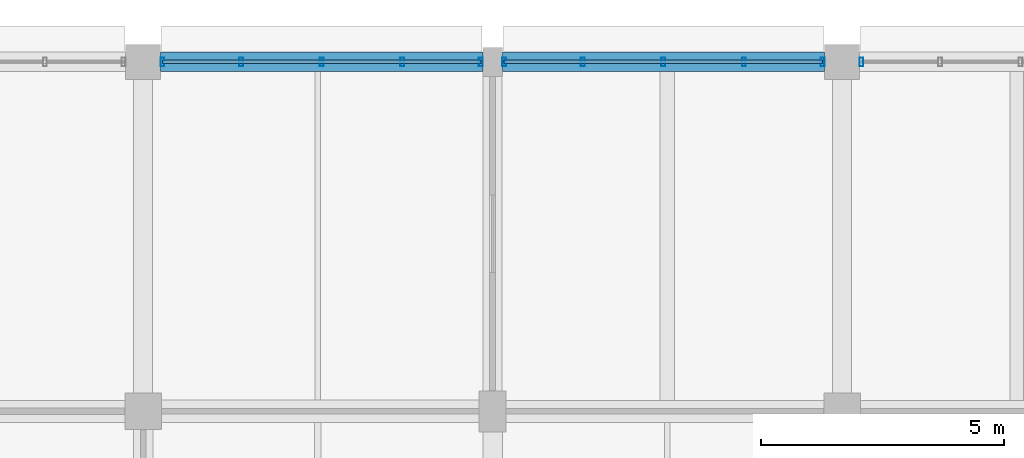
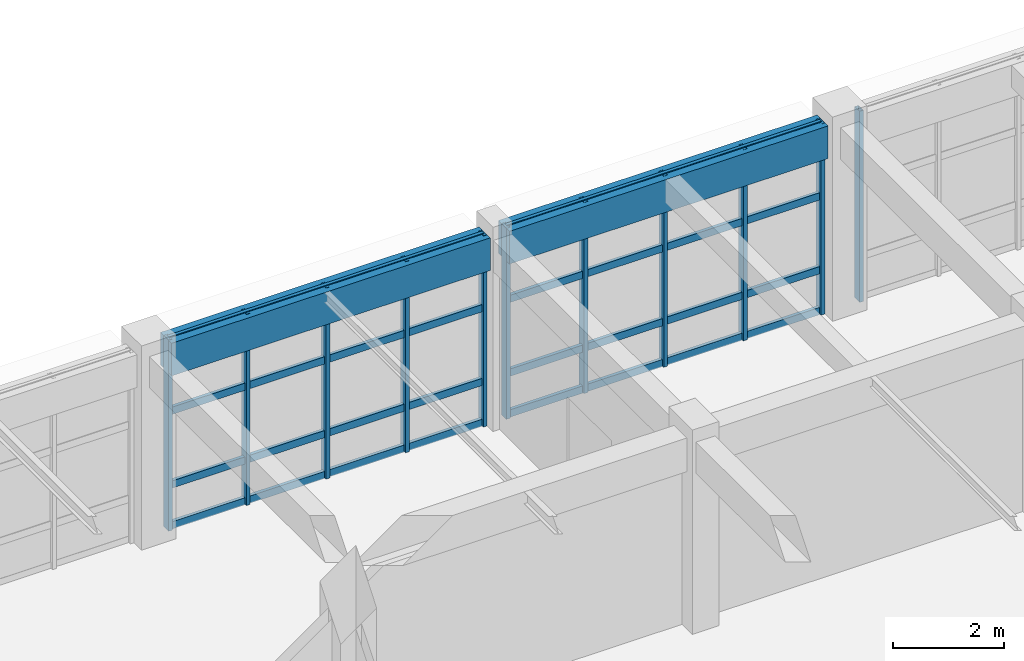
# One storey, part 81 of 171: 19 members, 2 beams, 3 elements without a shape of their own.
"""IFC4 building model written with IfcOpenShell, lengths in metres."""

from ifc_helpers import new_model, si_unit, direction, frame, origin, origin_2d, place, context, subcontext, project, spatial, rectangle, hollow_rectangle, extrude, material, material_profile, profile_set, type_object, element, aggregate, save


model = new_model("IFC4")

# Units and contexts
model_context = context("Model", 3, precision=1e-05, world=origin(), true_north=direction((0.0, 1.0)))
body_context = subcontext(model_context, "Body", "Model", "MODEL_VIEW")
ifc_project = project(units=[si_unit("LENGTHUNIT", "METRE"), si_unit("AREAUNIT", "SQUARE_METRE"), si_unit("VOLUMEUNIT", "CUBIC_METRE"), si_unit("PLANEANGLEUNIT", "RADIAN"), si_unit("MASSUNIT", "GRAM", prefix="KILO")], contexts=[model_context])

# Site, building, storey
site_placement = place(None, origin())
site = spatial("IfcSite", under=ifc_project, at=site_placement, CompositionType="ELEMENT")
building_placement = place(site_placement, origin())
building = spatial("IfcBuilding", under=site, at=building_placement, Name="Thalmaran Polytechnic", CompositionType="ELEMENT")
storey_placement = place(building_placement, frame((0.0, 0.0, 5.39990234375)))
storey = spatial("IfcBuildingStorey", under=building, at=storey_placement, Name="L01", CompositionType="ELEMENT", Elevation=5.39990234375)

# Beams
ifc_material_1 = material(Name="Concrete C40/50", Category="concrete")
ifc_material_profile_1 = material_profile(ifc_material_1, rectangle(XDim=0.39990234375, YDim=0.719970703125, at=origin_2d()), Name="RC 400x720")
ifc_profile_set_1 = profile_set([ifc_material_profile_1], Name="Concrete C40/50")
beam_type = type_object("IfcBeamType", Name="BM-SP01", PredefinedType="SPANDREL", material=ifc_profile_set_1)
for number, where, z_axis, x_axis, name in (
    (1, (79.56005859375, 122.39990234375, 3.85009765625), (1.0, 0.0, 0.0), (0.0, 1.0, 0.0), "Grid Beam SP01 L01 X(11,17)"),
    (2, (86.60009765625, 122.39990234375, 3.85009765625), (1.0, 0.0, 0.0), (0.0, 1.0, 0.0), "Grid Beam SP01 L01 X(12,17)"),
):
    element("IfcBeam", number, at=place(storey_placement, frame(where, z_axis=z_axis, x_axis=x_axis)), inside=storey, type_object=beam_type, Name=name, PredefinedType="SPANDREL", context=body_context, shape_type="SweptSolid", body=[
        extrude(rectangle(XDim=0.39990234375, YDim=0.719970703125, at=origin_2d()), origin(), (0.0, 0.0, 1.0), 6.639892578125),
    ])

# Curtain wall, members
ifc_material_2 = material(Name="Aluminium 6063-T6", Category="aluminium")
curtain_wall_type = type_object("IfcCurtainWallType", Name="CW-UC02", PredefinedType="USERDEFINED", material=ifc_material_2)
curtain_wall_1_placement = place(storey_placement, origin())
curtain_wall_1 = element("IfcCurtainWall", 3, at=curtain_wall_1_placement, inside=storey, type_object=curtain_wall_type, Name="Curtain Wall CW-L01-090", ObjectType="UNITISED CURTAIN WALL", PredefinedType="USERDEFINED")
ifc_material_profile_2 = material_profile(ifc_material_2, hollow_rectangle(XDim=0.080078125, YDim=0.179931640625, WallThickness=0.0048828125, at=origin_2d()), Name="RHS 180x80x5.0")
ifc_profile_set_2 = profile_set([ifc_material_profile_2], Name="Aluminium 6063-T6")
member_type_1 = type_object("IfcMemberType", Name="CW-MUL1", PredefinedType="MULLION", material=ifc_profile_set_2)
member_1_placement = place(storey_placement, frame((79.60009765625, 122.39990234375, 0.0), z_axis=(0.0, 0.0, 1.0), x_axis=(1.0, 0.0, 0.0)))
member_1 = element("IfcMember", 4, at=member_1_placement, type_object=member_type_1, Name="CW-L01-090 Mullion 1", PredefinedType="MULLION", context=body_context, shape_type="SweptSolid", body=[
    extrude(hollow_rectangle(XDim=0.080078125, YDim=0.179931640625, WallThickness=0.0048828125, at=origin_2d()), origin(), (0.0, 0.0, 1.0), 4.210205078125),
])
member_2_placement = place(storey_placement, frame((81.219970703125, 122.39990234375, 0.0), z_axis=(0.0, 0.0, 1.0), x_axis=(1.0, 0.0, 0.0)))
member_2 = element("IfcMember", 5, at=member_2_placement, type_object=member_type_1, Name="CW-L01-090 Mullion 2", PredefinedType="MULLION", context=body_context, shape_type="SweptSolid", body=[
    extrude(hollow_rectangle(XDim=0.080078125, YDim=0.179931640625, WallThickness=0.0048828125, at=origin_2d()), origin(), (0.0, 0.0, 1.0), 4.210205078125),
])
member_3_placement = place(storey_placement, frame((82.8798828125, 122.39990234375, 0.0), z_axis=(0.0, 0.0, 1.0), x_axis=(1.0, 0.0, 0.0)))
member_3 = element("IfcMember", 6, at=member_3_placement, type_object=member_type_1, Name="CW-L01-090 Mullion 3", PredefinedType="MULLION", context=body_context, shape_type="SweptSolid", body=[
    extrude(hollow_rectangle(XDim=0.080078125, YDim=0.179931640625, WallThickness=0.0048828125, at=origin_2d()), origin(), (0.0, 0.0, 1.0), 4.210205078125),
])
member_4_placement = place(storey_placement, frame((84.5400390625, 122.39990234375, 0.0), z_axis=(0.0, 0.0, 1.0), x_axis=(1.0, 0.0, 0.0)))
member_4 = element("IfcMember", 7, at=member_4_placement, type_object=member_type_1, Name="CW-L01-090 Mullion 4", PredefinedType="MULLION", context=body_context, shape_type="SweptSolid", body=[
    extrude(hollow_rectangle(XDim=0.080078125, YDim=0.179931640625, WallThickness=0.0048828125, at=origin_2d()), origin(), (0.0, 0.0, 1.0), 4.210205078125),
])
member_5_placement = place(storey_placement, frame((86.159912109375, 122.39990234375, 0.0), z_axis=(0.0, 0.0, 1.0), x_axis=(1.0, 0.0, 0.0)))
member_5 = element("IfcMember", 8, at=member_5_placement, type_object=member_type_1, Name="CW-L01-090 Mullion 5", PredefinedType="MULLION", context=body_context, shape_type="SweptSolid", body=[
    extrude(hollow_rectangle(XDim=0.080078125, YDim=0.179931640625, WallThickness=0.0048828125, at=origin_2d()), origin(), (0.0, 0.0, 1.0), 4.210205078125),
])

curtain_wall_2_placement = place(storey_placement, origin())
curtain_wall_2 = element("IfcCurtainWall", 9, at=curtain_wall_2_placement, inside=storey, type_object=curtain_wall_type, Name="Curtain Wall CW-L01-091", ObjectType="UNITISED CURTAIN WALL", PredefinedType="USERDEFINED")
member_6_placement = place(storey_placement, frame((86.639892578125, 122.39990234375, 0.0), z_axis=(0.0, 0.0, 1.0), x_axis=(1.0, 0.0, 0.0)))
member_6 = element("IfcMember", 10, at=member_6_placement, type_object=member_type_1, Name="CW-L01-091 Mullion 1", PredefinedType="MULLION", context=body_context, shape_type="SweptSolid", body=[
    extrude(hollow_rectangle(XDim=0.080078125, YDim=0.179931640625, WallThickness=0.0048828125, at=origin_2d()), origin(), (0.0, 0.0, 1.0), 4.210205078125),
])
member_7_placement = place(storey_placement, frame((88.260009765625, 122.39990234375, 0.0), z_axis=(0.0, 0.0, 1.0), x_axis=(1.0, 0.0, 0.0)))
member_7 = element("IfcMember", 11, at=member_7_placement, type_object=member_type_1, Name="CW-L01-091 Mullion 2", PredefinedType="MULLION", context=body_context, shape_type="SweptSolid", body=[
    extrude(hollow_rectangle(XDim=0.080078125, YDim=0.179931640625, WallThickness=0.0048828125, at=origin_2d()), origin(), (0.0, 0.0, 1.0), 4.210205078125),
])
member_8_placement = place(storey_placement, frame((89.919921875, 122.39990234375, 0.0), z_axis=(0.0, 0.0, 1.0), x_axis=(1.0, 0.0, 0.0)))
member_8 = element("IfcMember", 12, at=member_8_placement, type_object=member_type_1, Name="CW-L01-091 Mullion 3", PredefinedType="MULLION", context=body_context, shape_type="SweptSolid", body=[
    extrude(hollow_rectangle(XDim=0.080078125, YDim=0.179931640625, WallThickness=0.0048828125, at=origin_2d()), origin(), (0.0, 0.0, 1.0), 4.210205078125),
])
member_9_placement = place(storey_placement, frame((91.580078125, 122.39990234375, 0.0), z_axis=(0.0, 0.0, 1.0), x_axis=(1.0, 0.0, 0.0)))
member_9 = element("IfcMember", 13, at=member_9_placement, type_object=member_type_1, Name="CW-L01-091 Mullion 4", PredefinedType="MULLION", context=body_context, shape_type="SweptSolid", body=[
    extrude(hollow_rectangle(XDim=0.080078125, YDim=0.179931640625, WallThickness=0.0048828125, at=origin_2d()), origin(), (0.0, 0.0, 1.0), 4.210205078125),
])
member_10_placement = place(storey_placement, frame((93.199951171875, 122.39990234375, 0.0), z_axis=(0.0, 0.0, 1.0), x_axis=(1.0, 0.0, 0.0)))
member_10 = element("IfcMember", 14, at=member_10_placement, type_object=member_type_1, Name="CW-L01-091 Mullion 5", PredefinedType="MULLION", context=body_context, shape_type="SweptSolid", body=[
    extrude(hollow_rectangle(XDim=0.080078125, YDim=0.179931640625, WallThickness=0.0048828125, at=origin_2d()), origin(), (0.0, 0.0, 1.0), 4.210205078125),
])

# Curtain wall, member
curtain_wall_3_placement = place(storey_placement, origin())
curtain_wall_3 = element("IfcCurtainWall", 15, at=curtain_wall_3_placement, inside=storey, type_object=curtain_wall_type, Name="Curtain Wall CW-L01-092", ObjectType="UNITISED CURTAIN WALL", PredefinedType="USERDEFINED")
member_11_placement = place(storey_placement, frame((94.0, 122.39990234375, 0.0), z_axis=(0.0, 0.0, 1.0), x_axis=(1.0, 0.0, 0.0)))
member_11 = element("IfcMember", 16, at=member_11_placement, type_object=member_type_1, Name="CW-L01-092 Mullion 1", PredefinedType="MULLION", context=body_context, shape_type="SweptSolid", body=[
    extrude(hollow_rectangle(XDim=0.080078125, YDim=0.179931640625, WallThickness=0.0048828125, at=origin_2d()), origin(), (0.0, 0.0, 1.0), 4.210205078125),
])
aggregate(curtain_wall_3, [member_11])

# Member
ifc_material_profile_3 = material_profile(ifc_material_2, hollow_rectangle(XDim=0.070068359375, YDim=0.159912109375, WallThickness=0.00390625, at=origin_2d()), Name="AL 160x70x4.0")
ifc_profile_set_3 = profile_set([ifc_material_profile_3], Name="Aluminium 6063-T6")
member_type_2 = type_object("IfcMemberType", Name="CW-TRN1", PredefinedType="USERDEFINED", material=ifc_profile_set_3)
member_12_placement = place(storey_placement, frame((79.60009765625, 122.39990234375, 0.06005859375), z_axis=(1.0, 0.0, 0.0), x_axis=(0.0, 1.0, 0.0)))
member_12 = element("IfcMember", 17, at=member_12_placement, type_object=member_type_2, Name="CW-L01-090 Transom 1", ObjectType="TRANSOM", PredefinedType="USERDEFINED", context=body_context, shape_type="SweptSolid", body=[
    extrude(hollow_rectangle(XDim=0.070068359375, YDim=0.159912109375, WallThickness=0.00390625, at=origin_2d()), origin(), (0.0, 0.0, 1.0), 6.559814453125),
])

member_13_placement = place(storey_placement, frame((79.60009765625, 122.39990234375, 0.960205078125), z_axis=(1.0, 0.0, 0.0), x_axis=(0.0, 1.0, 0.0)))
member_13 = element("IfcMember", 18, at=member_13_placement, type_object=member_type_2, Name="CW-L01-090 Transom 2", ObjectType="TRANSOM", PredefinedType="USERDEFINED", context=body_context, shape_type="SweptSolid", body=[
    extrude(hollow_rectangle(XDim=0.070068359375, YDim=0.159912109375, WallThickness=0.00390625, at=origin_2d()), origin(), (0.0, 0.0, 1.0), 6.559814453125),
])

member_14_placement = place(storey_placement, frame((79.60009765625, 122.39990234375, 2.585205078125), z_axis=(1.0, 0.0, 0.0), x_axis=(0.0, 1.0, 0.0)))
member_14 = element("IfcMember", 19, at=member_14_placement, type_object=member_type_2, Name="CW-L01-090 Transom 3", ObjectType="TRANSOM", PredefinedType="USERDEFINED", context=body_context, shape_type="SweptSolid", body=[
    extrude(hollow_rectangle(XDim=0.070068359375, YDim=0.159912109375, WallThickness=0.00390625, at=origin_2d()), origin(), (0.0, 0.0, 1.0), 6.559814453125),
])

member_15_placement = place(storey_placement, frame((79.60009765625, 122.39990234375, 4.150146484375), z_axis=(1.0, 0.0, 0.0), x_axis=(0.0, 1.0, 0.0)))
member_15 = element("IfcMember", 20, at=member_15_placement, type_object=member_type_2, Name="CW-L01-090 Transom 4", ObjectType="TRANSOM", PredefinedType="USERDEFINED", context=body_context, shape_type="SweptSolid", body=[
    extrude(hollow_rectangle(XDim=0.070068359375, YDim=0.159912109375, WallThickness=0.00390625, at=origin_2d()), origin(), (0.0, 0.0, 1.0), 6.559814453125),
])

aggregate(curtain_wall_1, [member_1, member_2, member_3, member_4, member_5, member_12, member_13, member_14, member_15])

member_16_placement = place(storey_placement, frame((86.639892578125, 122.39990234375, 0.06005859375), z_axis=(1.0, 0.0, 0.0), x_axis=(0.0, 1.0, 0.0)))
member_16 = element("IfcMember", 21, at=member_16_placement, type_object=member_type_2, Name="CW-L01-091 Transom 1", ObjectType="TRANSOM", PredefinedType="USERDEFINED", context=body_context, shape_type="SweptSolid", body=[
    extrude(hollow_rectangle(XDim=0.070068359375, YDim=0.159912109375, WallThickness=0.00390625, at=origin_2d()), origin(), (0.0, 0.0, 1.0), 6.56005859375),
])

member_17_placement = place(storey_placement, frame((86.639892578125, 122.39990234375, 0.960205078125), z_axis=(1.0, 0.0, 0.0), x_axis=(0.0, 1.0, 0.0)))
member_17 = element("IfcMember", 22, at=member_17_placement, type_object=member_type_2, Name="CW-L01-091 Transom 2", ObjectType="TRANSOM", PredefinedType="USERDEFINED", context=body_context, shape_type="SweptSolid", body=[
    extrude(hollow_rectangle(XDim=0.070068359375, YDim=0.159912109375, WallThickness=0.00390625, at=origin_2d()), origin(), (0.0, 0.0, 1.0), 6.56005859375),
])

member_18_placement = place(storey_placement, frame((86.639892578125, 122.39990234375, 2.585205078125), z_axis=(1.0, 0.0, 0.0), x_axis=(0.0, 1.0, 0.0)))
member_18 = element("IfcMember", 23, at=member_18_placement, type_object=member_type_2, Name="CW-L01-091 Transom 3", ObjectType="TRANSOM", PredefinedType="USERDEFINED", context=body_context, shape_type="SweptSolid", body=[
    extrude(hollow_rectangle(XDim=0.070068359375, YDim=0.159912109375, WallThickness=0.00390625, at=origin_2d()), origin(), (0.0, 0.0, 1.0), 6.56005859375),
])

member_19_placement = place(storey_placement, frame((86.639892578125, 122.39990234375, 4.150146484375), z_axis=(1.0, 0.0, 0.0), x_axis=(0.0, 1.0, 0.0)))
member_19 = element("IfcMember", 24, at=member_19_placement, type_object=member_type_2, Name="CW-L01-091 Transom 4", ObjectType="TRANSOM", PredefinedType="USERDEFINED", context=body_context, shape_type="SweptSolid", body=[
    extrude(hollow_rectangle(XDim=0.070068359375, YDim=0.159912109375, WallThickness=0.00390625, at=origin_2d()), origin(), (0.0, 0.0, 1.0), 6.56005859375),
])

aggregate(curtain_wall_2, [member_6, member_7, member_8, member_9, member_10, member_16, member_17, member_18, member_19])

save(model, "model.ifc")
